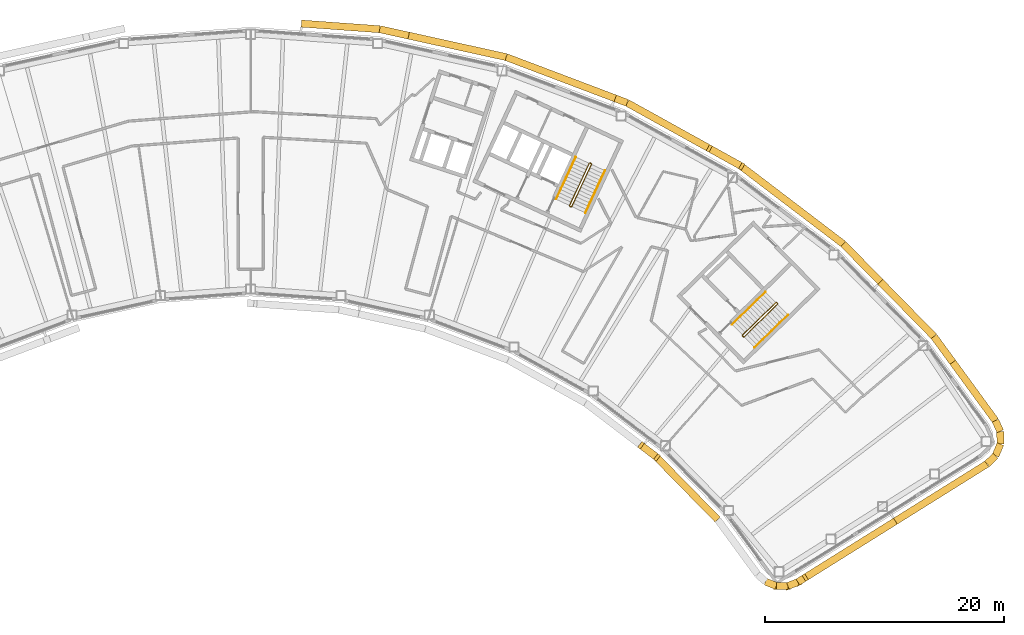
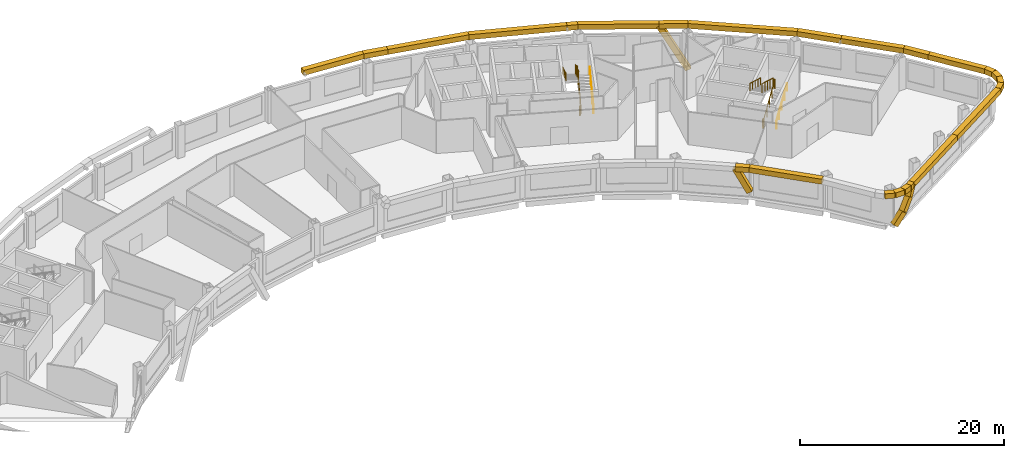
# One storey, part 15 of 16: 29 coverings, 6 railings.
"""IFC4 building model written with IfcOpenShell, lengths in metres."""

import ifcopenshell
import ifcopenshell.guid

model = None  # the IFC model being written
_history = None  # IfcOwnerHistory: only IFC2X3 demands one
_inside = {}  # id of a spatial element -> (the spatial element, [elements in it])
_under = {}  # id of a project, library or spatial element -> (it, [spatial elements below it])
_declared = {}  # id of a project -> (the project, [libraries it declares])
_typed = {}  # id of a type object -> (the type object, [elements of that type])
_made_of = {}  # id of a material, layer set ... -> (it, [elements and type objects made of it])


def new_model(schema):
    """Start an empty IFC model of exactly this schema.

    Asked for "IFC4X3", IfcOpenShell would pick the latest addendum, in which some entities
    have other attributes; the version numbers below select the first issue.
    IFC2X3 requires an IfcOwnerHistory on every rooted entity: one is made here for all.
    """
    global model, _history
    if schema == "IFC4X3":
        model = ifcopenshell.file(schema_version=(4, 3, 0, 0))
    else:
        model = ifcopenshell.file(schema=schema)
    _inside.clear()
    _under.clear()
    _declared.clear()
    _typed.clear()
    _made_of.clear()
    _history = None
    if model.schema == "IFC2X3":
        org = make("IfcOrganization", Name="unknown")
        user = make(
            "IfcPersonAndOrganization",
            ThePerson=make("IfcPerson", FamilyName="unknown"),
            TheOrganization=org,
        )
        app = make(
            "IfcApplication",
            ApplicationDeveloper=org,
            Version="unknown",
            ApplicationFullName="unknown",
            ApplicationIdentifier="unknown",
        )
        _history = make(
            "IfcOwnerHistory",
            OwningUser=user,
            OwningApplication=app,
            ChangeAction="ADDED",
            CreationDate=0,
        )
    return model


def make(cls, **values):
    """One entity of the class cls with the attributes given. An attribute that is None is left unset."""
    return model.create_entity(
        cls, **{name: value for name, value in values.items() if value is not None}
    )


def rooted(cls, **values):
    """An entity with a GlobalId (a new one), such as an element, a storey or a relation."""
    return make(cls, GlobalId=ifcopenshell.guid.new(), OwnerHistory=_history, **values)


def si_unit(unit_type, name, prefix=None):
    """IfcSIUnit, for example si_unit("LENGTHUNIT", "METRE", prefix="MILLI")."""
    return make("IfcSIUnit", UnitType=unit_type, Prefix=prefix, Name=name)


def assignment(units):
    """IfcUnitAssignment: the units of a project."""
    return None if units is None else make("IfcUnitAssignment", Units=units)


def point(xyz):
    """IfcCartesianPoint."""
    return None if xyz is None else make("IfcCartesianPoint", Coordinates=xyz)


def direction(xyz):
    """IfcDirection."""
    return None if xyz is None else make("IfcDirection", DirectionRatios=xyz)


def frame(location, z_axis=None, x_axis=None):
    """IfcAxis2Placement3D, a coordinate frame: its origin and axes. An axis left out is left unset."""
    return make(
        "IfcAxis2Placement3D",
        Location=point(location),
        Axis=direction(z_axis),
        RefDirection=direction(x_axis),
    )


def frame_2d(location, x_axis=None):
    """IfcAxis2Placement2D, a coordinate frame in the plane: its origin and x axis."""
    return make(
        "IfcAxis2Placement2D", Location=point(location), RefDirection=direction(x_axis)
    )


def origin():
    """The frame at (0, 0, 0) with its axes left unset."""
    return frame((0.0, 0.0, 0.0))


def origin_2d():
    """The frame at (0, 0) in the plane with its x axis left unset."""
    return frame_2d((0.0, 0.0))


def place(relative_to, where):
    """IfcLocalPlacement: puts the frame where relative to a parent placement (None: the world)."""
    return make(
        "IfcLocalPlacement", PlacementRelTo=relative_to, RelativePlacement=where
    )


def context(
    kind, dimensions, precision=None, world=None, true_north=None, identifier=None
):
    """IfcGeometricRepresentationContext, for example the 3D "Model" context."""
    return make(
        "IfcGeometricRepresentationContext",
        ContextIdentifier=identifier,
        ContextType=kind,
        CoordinateSpaceDimension=dimensions,
        Precision=precision,
        WorldCoordinateSystem=world,
        TrueNorth=true_north,
    )


def subcontext(parent, identifier, kind, view, scale=None):
    """IfcGeometricRepresentationSubContext, for example "Body" below "Model"."""
    return make(
        "IfcGeometricRepresentationSubContext",
        ContextIdentifier=identifier,
        ContextType=kind,
        ParentContext=parent,
        TargetScale=scale,
        TargetView=view,
    )


def project(units=None, contexts=None):
    """IfcProject with its units and contexts."""
    return rooted(
        "IfcProject",
        Name="project",
        RepresentationContexts=contexts,
        UnitsInContext=assignment(units),
    )


def spatial(cls, under=None, at=None, **own):
    """A site, building, storey or space (cls), placed at a placement, below another one or the project."""
    s = rooted(cls, ObjectPlacement=at, **own)
    if under is not None:
        _under.setdefault(under.id(), (under, []))[1].append(s)
    return s


def profile(cls, at=None, kind="AREA", **sizes):
    """A parametric profile (cls). Its sizes go by their IFC names, for example OverallWidth=200.0."""
    return make(cls, ProfileType=kind, Position=at, **sizes)


def rectangle(**sizes):
    """IfcRectangleProfileDef."""
    return profile("IfcRectangleProfileDef", **sizes)


def circle(**sizes):
    """IfcCircleProfileDef."""
    return profile("IfcCircleProfileDef", **sizes)


def extrude(swept, where, along, depth):
    """IfcExtrudedAreaSolid: the profile swept, set in the frame where, extruded along a direction by depth."""
    return make(
        "IfcExtrudedAreaSolid",
        SweptArea=swept,
        Position=where,
        ExtrudedDirection=direction(along),
        Depth=depth,
    )


def shape(context_of_items, identifier, shape_type, items):
    """IfcShapeRepresentation: the items that make up one representation, for example the "Body"."""
    return make(
        "IfcShapeRepresentation",
        ContextOfItems=context_of_items,
        RepresentationIdentifier=identifier,
        RepresentationType=shape_type,
        Items=items,
    )


def material(Name=None, Category=None):
    """IfcMaterial."""
    return make("IfcMaterial", Name=Name, Category=Category)


def material_profile(
    of_material, cross_section, Name=None, Category=None, Priority=None
):
    """IfcMaterialProfile: a cross section and its material."""
    return make(
        "IfcMaterialProfile",
        Name=Name,
        Material=of_material,
        Profile=cross_section,
        Priority=Priority,
        Category=Category,
    )


def profile_set(profiles, Name=None, composite=None):
    """IfcMaterialProfileSet."""
    return make(
        "IfcMaterialProfileSet",
        Name=Name,
        MaterialProfiles=profiles,
        CompositeProfile=composite,
    )


def made_of(thing, what):
    """Note that an element or type object is made of a material, layer set ...; save() writes the relation."""
    if what is not None:
        _made_of.setdefault(what.id(), (what, []))[1].append(thing)
    return thing


def type_object(cls, material=None, **own):
    """A type object (cls), such as IfcWallType, which elements share."""
    return made_of(rooted(cls, **own), material)


def element(
    cls,
    number,
    at=None,
    inside=None,
    cuts=None,
    type_object=None,
    material=None,
    context=None,
    identifier="Body",
    shape_type=None,
    held_by="IfcProductDefinitionShape",
    body=None,
    shapes=None,
    **own,
):
    """One element of the class cls, such as IfcWall. Its Tag is "e" and its number.

    at: its placement. inside: the storey or other place that contains it. cuts: it is an
    opening in that element (IfcRelVoidsElement). A single representation is given by context,
    identifier, shape_type and body (its items); several are given by shapes. held_by: the class
    of the entity that holds the representations. save() writes the other relations.
    """
    e = rooted(cls, Tag="e%d" % number, ObjectPlacement=at, **own)
    if body is not None:
        shapes = [shape(context, identifier, shape_type, body)]
    if shapes is not None:
        e.Representation = make(held_by, Representations=shapes)
    if inside is not None:
        _inside.setdefault(inside.id(), (inside, []))[1].append(e)
    if cuts is not None:
        rooted(
            "IfcRelVoidsElement", RelatingBuildingElement=cuts, RelatedOpeningElement=e
        )
    if type_object is not None:
        _typed.setdefault(type_object.id(), (type_object, []))[1].append(e)
    return made_of(e, material)


def aggregate(whole, parts):
    """IfcRelAggregates: a whole, such as a stair, and the parts it consists of."""
    return rooted("IfcRelAggregates", RelatingObject=whole, RelatedObjects=parts)


def save(model, path):
    """Write the relations noted so far, then the file.

    IfcRelAggregates (storeys below a building ...), IfcRelContainedInSpatialStructure (elements
    in a storey), IfcRelDefinesByType, IfcRelAssociatesMaterial and IfcRelDeclares: one each for
    every whole, place, type object, material and project.
    """
    for whole, parts in _under.values():
        aggregate(whole, parts)
    for where, things in _inside.values():
        rooted(
            "IfcRelContainedInSpatialStructure",
            RelatedElements=things,
            RelatingStructure=where,
        )
    for kind, things in _typed.values():
        rooted("IfcRelDefinesByType", RelatedObjects=things, RelatingType=kind)
    for what, things in _made_of.values():
        rooted("IfcRelAssociatesMaterial", RelatedObjects=things, RelatingMaterial=what)
    for by, libraries in _declared.values():
        rooted("IfcRelDeclares", RelatingContext=by, RelatedDefinitions=libraries)
    model.write(path)


model = new_model("IFC4")

# Units and contexts
model_context = context("Model", 3, precision=1e-05, world=origin(), true_north=direction((0.0, 1.0)))
body_context = subcontext(model_context, "Body", "Model", "MODEL_VIEW")
ifc_project = project(units=[si_unit("LENGTHUNIT", "METRE"), si_unit("AREAUNIT", "SQUARE_METRE"), si_unit("VOLUMEUNIT", "CUBIC_METRE"), si_unit("PLANEANGLEUNIT", "RADIAN"), si_unit("MASSUNIT", "GRAM", prefix="KILO")], contexts=[model_context])

# Site, building, storey
site_placement = place(None, origin())
site = spatial("IfcSite", under=ifc_project, at=site_placement, CompositionType="ELEMENT")
building_placement = place(site_placement, origin())
building = spatial("IfcBuilding", under=site, at=building_placement, Name="Tuul Gate Civic Tower", CompositionType="ELEMENT")
storey_placement = place(building_placement, frame((0.0, 0.0, 298.39990234375)))
storey = spatial("IfcBuildingStorey", under=building, at=storey_placement, Name="Level 67", CompositionType="ELEMENT", Elevation=298.39990234375)

# Railings
ifc_material_1 = material(Name="Painted steel", Category="steel")
railing_type_1 = type_object("IfcRailingType", Name="Stair guard", PredefinedType="GUARDRAIL", material=ifc_material_1)
railing_1_placement = place(storey_placement, frame((48.10546875, -16.134765625, 0.0)))
element("IfcRailing", 1, at=railing_1_placement, inside=storey, type_object=railing_type_1, Name="Level 67 ST-3 stair guard 1", PredefinedType="GUARDRAIL", context=body_context, shape_type="SweptSolid", body=[
    extrude(circle(Radius=0.02392578125, at=origin_2d()), frame((0.0, 0.0, 1.076171875), z_axis=(-0.698506948293, 0.715603272202, 0.0), x_axis=(-0.715603272202, -0.698506948293, 0.0)), (0.0, 0.0, 1.0), 0.099853515625),
    extrude(circle(Radius=0.02392578125, at=origin_2d()), frame((-0.06982421875, 0.071533203125, 1.076171875), z_axis=(0.644948864628, -0.331432055434, 0.688617277337), x_axis=(0.457068866502, 0.889431307788, 0.0)), (0.0, 0.0, 1.0), 0.218017578125),
    extrude(circle(Radius=0.02392578125, at=origin_2d()), frame((0.07080078125, -0.000732421875, 1.22607421875), z_axis=(0.638731261263, 0.626133563701, 0.447190268558), x_axis=(-0.700029477518, 0.714113947914, 0.0)), (0.0, 0.0, 1.0), 4.3603515625),
    extrude(circle(Radius=0.02392578125, at=origin_2d()), frame((2.85595703125, 2.7294921875, 3.17626953125), z_axis=(0.010380063588, 0.999946125689, 0.0), x_axis=(-0.999946125689, 0.010380063588, 0.0)), (0.0, 0.0, 1.0), 0.070556640625),
    extrude(circle(Radius=0.02392578125, at=origin_2d()), frame((2.856689453125, 2.800048828125, 3.17626953125), z_axis=(-0.699754442181, 0.714383454909, 0.0), x_axis=(-0.714383454909, -0.699754442181, 0.0)), (0.0, 0.0, 1.0), 0.10009765625),
    extrude(circle(Radius=0.02392578125, at=origin_2d()), frame((2.78662109375, 2.87158203125, 3.17626953125), z_axis=(-0.427069033481, 0.004417955519, 0.904208229508), x_axis=(-0.010344274102, -0.999946496565, 0.0)), (0.0, 0.0, 1.0), 0.165771484375),
    extrude(circle(Radius=0.02392578125, at=origin_2d()), frame((2.7158203125, 2.872314453125, 3.326171875), z_axis=(-0.638715268259, -0.626117886127, 0.447235059857), x_axis=(0.700029477518, -0.714113947914, 0.0)), (0.0, 0.0, 1.0), 4.360595703125),
    extrude(circle(Radius=0.02099609375, at=origin_2d()), origin(), (0.0, 0.0, 1.0), 1.052001953125),
    extrude(circle(Radius=0.02099609375, at=origin_2d()), frame((-0.06982421875, 0.071533203125, 0.0)), (0.0, 0.0, 1.0), 1.052001953125),
    extrude(circle(Radius=0.02099609375, at=origin_2d()), frame((0.07080078125, -0.000732421875, 0.150146484375)), (0.0, 0.0, 1.0), 1.052001953125),
    extrude(circle(Radius=0.02099609375, at=origin_2d()), frame((0.76708984375, 0.681884765625, 0.6376953125)), (0.0, 0.0, 1.0), 1.052001953125),
    extrude(circle(Radius=0.02099609375, at=origin_2d()), frame((1.46337890625, 1.3642578125, 1.125)), (0.0, 0.0, 1.0), 1.052001953125),
    extrude(circle(Radius=0.02099609375, at=origin_2d()), frame((2.15966796875, 2.046875, 1.612548828125)), (0.0, 0.0, 1.0), 1.052001953125),
    extrude(circle(Radius=0.02099609375, at=origin_2d()), frame((2.85595703125, 2.7294921875, 2.10009765625)), (0.0, 0.0, 1.0), 1.052001953125),
    extrude(circle(Radius=0.02099609375, at=origin_2d()), frame((2.856689453125, 2.800048828125, 2.10009765625)), (0.0, 0.0, 1.0), 1.052001953125),
    extrude(circle(Radius=0.02099609375, at=origin_2d()), frame((2.78662109375, 2.87158203125, 2.10009765625)), (0.0, 0.0, 1.0), 1.052001953125),
    extrude(circle(Radius=0.02099609375, at=origin_2d()), frame((2.7158203125, 2.872314453125, 2.25)), (0.0, 0.0, 1.0), 1.052001953125),
    extrude(circle(Radius=0.02099609375, at=origin_2d()), frame((2.01953125, 2.189697265625, 2.737548828125)), (0.0, 0.0, 1.0), 1.052001953125),
    extrude(circle(Radius=0.02099609375, at=origin_2d()), frame((1.3232421875, 1.50732421875, 3.22509765625)), (0.0, 0.0, 1.0), 1.052001953125),
    extrude(circle(Radius=0.02099609375, at=origin_2d()), frame((0.626953125, 0.82470703125, 3.712646484375)), (0.0, 0.0, 1.0), 1.052001953125),
    extrude(circle(Radius=0.02099609375, at=origin_2d()), frame((-0.0693359375, 0.14208984375, 4.2001953125)), (0.0, 0.0, 1.0), 1.052001953125),
])
railing_2_placement = place(storey_placement, frame((33.645751953125, -5.238525390625, 0.0)))
element("IfcRailing", 2, at=railing_2_placement, inside=storey, type_object=railing_type_1, Name="Level 67 ST-4 stair guard 1", PredefinedType="GUARDRAIL", context=body_context, shape_type="SweptSolid", body=[
    extrude(circle(Radius=0.02392578125, at=origin_2d()), frame((0.0, 0.0, 1.076171875), z_axis=(-0.906307919131, 0.422617978463, 0.0), x_axis=(-0.422617978463, -0.906307919131, 0.0)), (0.0, 0.0, 1.0), 0.099853515625),
    extrude(circle(Radius=0.02392578125, at=origin_2d()), frame((-0.090576171875, 0.042236328125, 1.076171875), z_axis=(0.720179819621, -0.082882280952, 0.688818956559), x_axis=(0.114330889033, 0.993442724979, 0.0)), (0.0, 0.0, 1.0), 0.218017578125),
    extrude(circle(Radius=0.02392578125, at=origin_2d()), frame((0.06640625, 0.024169921875, 1.22607421875), z_axis=(0.377946903738, 0.810654114417, 0.447209173356), x_axis=(-0.906336612539, 0.422556439746, 0.0)), (0.0, 0.0, 1.0), 4.3603515625),
    extrude(circle(Radius=0.02392578125, at=origin_2d()), frame((1.71435546875, 3.558837890625, 3.17626953125), z_axis=(-0.342020437038, 0.939692513883, 0.0), x_axis=(-0.939692513883, -0.342020437038, 0.0)), (0.0, 0.0, 1.0), 0.070556640625),
    extrude(circle(Radius=0.02392578125, at=origin_2d()), frame((1.690185546875, 3.625244140625, 3.17626953125), z_axis=(-0.906307919131, 0.422617978463, 0.0), x_axis=(-0.422617978463, -0.906307919131, 0.0)), (0.0, 0.0, 1.0), 0.099853515625),
    extrude(circle(Radius=0.02392578125, at=origin_2d()), frame((1.599609375, 3.66748046875, 3.17626953125), z_axis=(-0.40070210376, -0.145843780413, 0.904526072458), x_axis=(0.342020437038, -0.939692513883, 0.0)), (0.0, 0.0, 1.0), 0.165771484375),
    extrude(circle(Radius=0.02392578125, at=origin_2d()), frame((1.533203125, 3.643310546875, 3.326171875), z_axis=(-0.377937439636, -0.810633814971, 0.447253965602), x_axis=(0.906336612539, -0.422556439746, 0.0)), (0.0, 0.0, 1.0), 4.3603515625),
    extrude(circle(Radius=0.02099609375, at=origin_2d()), origin(), (0.0, 0.0, 1.0), 1.052001953125),
    extrude(circle(Radius=0.02099609375, at=origin_2d()), frame((-0.090576171875, 0.042236328125, 0.0)), (0.0, 0.0, 1.0), 1.052001953125),
    extrude(circle(Radius=0.02099609375, at=origin_2d()), frame((0.06640625, 0.024169921875, 0.150146484375)), (0.0, 0.0, 1.0), 1.052001953125),
    extrude(circle(Radius=0.02099609375, at=origin_2d()), frame((0.478515625, 0.90771484375, 0.6376953125)), (0.0, 0.0, 1.0), 1.052001953125),
    extrude(circle(Radius=0.02099609375, at=origin_2d()), frame((0.890380859375, 1.79150390625, 1.125)), (0.0, 0.0, 1.0), 1.052001953125),
    extrude(circle(Radius=0.02099609375, at=origin_2d()), frame((1.30224609375, 2.67529296875, 1.612548828125)), (0.0, 0.0, 1.0), 1.052001953125),
    extrude(circle(Radius=0.02099609375, at=origin_2d()), frame((1.71435546875, 3.558837890625, 2.10009765625)), (0.0, 0.0, 1.0), 1.052001953125),
    extrude(circle(Radius=0.02099609375, at=origin_2d()), frame((1.690185546875, 3.625244140625, 2.10009765625)), (0.0, 0.0, 1.0), 1.052001953125),
    extrude(circle(Radius=0.02099609375, at=origin_2d()), frame((1.599609375, 3.66748046875, 2.10009765625)), (0.0, 0.0, 1.0), 1.052001953125),
    extrude(circle(Radius=0.02099609375, at=origin_2d()), frame((1.533203125, 3.643310546875, 2.25)), (0.0, 0.0, 1.0), 1.052001953125),
    extrude(circle(Radius=0.02099609375, at=origin_2d()), frame((1.12109375, 2.759765625, 2.737548828125)), (0.0, 0.0, 1.0), 1.052001953125),
    extrude(circle(Radius=0.02099609375, at=origin_2d()), frame((0.709228515625, 1.8759765625, 3.22509765625)), (0.0, 0.0, 1.0), 1.052001953125),
    extrude(circle(Radius=0.02099609375, at=origin_2d()), frame((0.29736328125, 0.9921875, 3.712646484375)), (0.0, 0.0, 1.0), 1.052001953125),
    extrude(circle(Radius=0.02099609375, at=origin_2d()), frame((-0.11474609375, 0.108642578125, 4.2001953125)), (0.0, 0.0, 1.0), 1.052001953125),
])
ifc_material_2 = material(Name="Painted steel", Category="steel")
railing_type_2 = type_object("IfcRailingType", Name="Stair handrail", PredefinedType="HANDRAIL", material=ifc_material_2)
railing_3_placement = place(storey_placement, frame((49.05126953125, -17.028076171875, 0.150146484375)))
element("IfcRailing", 3, at=railing_3_placement, inside=storey, type_object=railing_type_2, Name="Level 67 ST-3 stair handrail 1", PredefinedType="HANDRAIL", context=body_context, shape_type="SweptSolid", body=[
    extrude(circle(Radius=0.02392578125, at=origin_2d()), frame((0.0, 0.0, 0.8759765625), z_axis=(0.638753653487, 0.626099522554, 0.447205945863), x_axis=(-0.699997553204, 0.714145241186, 0.0)), (0.0, 0.0, 1.0), 4.3603515625),
    extrude(circle(Radius=0.02099609375, at=origin_2d()), origin(), (0.0, 0.0, 1.0), 0.851806640625),
    extrude(circle(Radius=0.02099609375, at=origin_2d()), frame((0.6962890625, 0.6826171875, 0.487548828125)), (0.0, 0.0, 1.0), 0.851806640625),
    extrude(circle(Radius=0.02099609375, at=origin_2d()), frame((1.392578125, 1.364990234375, 0.97509765625)), (0.0, 0.0, 1.0), 0.851806640625),
    extrude(circle(Radius=0.02099609375, at=origin_2d()), frame((2.0888671875, 2.04736328125, 1.46240234375)), (0.0, 0.0, 1.0), 0.851806640625),
    extrude(circle(Radius=0.02099609375, at=origin_2d()), frame((2.78515625, 2.72998046875, 1.949951171875)), (0.0, 0.0, 1.0), 0.851806640625),
])
railing_4_placement = place(storey_placement, frame((49.9462890625, -12.369873046875, 2.25)))
element("IfcRailing", 4, at=railing_4_placement, inside=storey, type_object=railing_type_2, Name="Level 67 ST-3 stair handrail 2", PredefinedType="HANDRAIL", context=body_context, shape_type="SweptSolid", body=[
    extrude(circle(Radius=0.02392578125, at=origin_2d()), frame((0.0, 0.0, 0.8759765625), z_axis=(-0.638737658801, -0.626083844733, 0.447250737947), x_axis=(0.699997553204, -0.714145241186, 0.0)), (0.0, 0.0, 1.0), 4.3603515625),
    extrude(circle(Radius=0.02099609375, at=origin_2d()), origin(), (0.0, 0.0, 1.0), 0.851806640625),
    extrude(circle(Radius=0.02099609375, at=origin_2d()), frame((-0.6962890625, -0.6826171875, 0.487548828125)), (0.0, 0.0, 1.0), 0.851806640625),
    extrude(circle(Radius=0.02099609375, at=origin_2d()), frame((-1.392578125, -1.364990234375, 0.97509765625)), (0.0, 0.0, 1.0), 0.851806640625),
    extrude(circle(Radius=0.02099609375, at=origin_2d()), frame((-2.0888671875, -2.04736328125, 1.462646484375)), (0.0, 0.0, 1.0), 0.851806640625),
    extrude(circle(Radius=0.02099609375, at=origin_2d()), frame((-2.78515625, -2.72998046875, 1.9501953125)), (0.0, 0.0, 1.0), 0.851806640625),
])
railing_5_placement = place(storey_placement, frame((34.844970703125, -5.74267578125, 0.150146484375)))
element("IfcRailing", 5, at=railing_5_placement, inside=storey, type_object=railing_type_2, Name="Level 67 ST-4 stair handrail 1", PredefinedType="HANDRAIL", context=body_context, shape_type="SweptSolid", body=[
    extrude(circle(Radius=0.02392578125, at=origin_2d()), frame((0.0, 0.0, 0.8759765625), z_axis=(0.377994896215, 0.810636958585, 0.447199709091), x_axis=(-0.906312636903, 0.422607861012, 0.0)), (0.0, 0.0, 1.0), 4.3603515625),
    extrude(circle(Radius=0.02099609375, at=origin_2d()), origin(), (0.0, 0.0, 1.0), 0.851806640625),
    extrude(circle(Radius=0.02099609375, at=origin_2d()), frame((0.412109375, 0.8837890625, 0.487548828125)), (0.0, 0.0, 1.0), 0.851806640625),
    extrude(circle(Radius=0.02099609375, at=origin_2d()), frame((0.82421875, 1.767333984375, 0.97509765625)), (0.0, 0.0, 1.0), 0.851806640625),
    extrude(circle(Radius=0.02099609375, at=origin_2d()), frame((1.236083984375, 2.65087890625, 1.46240234375)), (0.0, 0.0, 1.0), 0.851806640625),
    extrude(circle(Radius=0.02099609375, at=origin_2d()), frame((1.648193359375, 3.53466796875, 1.949951171875)), (0.0, 0.0, 1.0), 0.851806640625),
])
railing_6_placement = place(storey_placement, frame((34.046142578125, -1.06689453125, 2.25)))
element("IfcRailing", 6, at=railing_6_placement, inside=storey, type_object=railing_type_2, Name="Level 67 ST-4 stair handrail 2", PredefinedType="HANDRAIL", context=body_context, shape_type="SweptSolid", body=[
    extrude(circle(Radius=0.02392578125, at=origin_2d()), frame((0.0, 0.0, 0.8759765625), z_axis=(-0.377985431313, -0.810616660428, 0.447244500863), x_axis=(0.906312636903, -0.422607861012, 0.0)), (0.0, 0.0, 1.0), 4.3603515625),
    extrude(circle(Radius=0.02099609375, at=origin_2d()), origin(), (0.0, 0.0, 1.0), 0.851806640625),
    extrude(circle(Radius=0.02099609375, at=origin_2d()), frame((-0.412109375, -0.8837890625, 0.487548828125)), (0.0, 0.0, 1.0), 0.851806640625),
    extrude(circle(Radius=0.02099609375, at=origin_2d()), frame((-0.82421875, -1.767333984375, 0.97509765625)), (0.0, 0.0, 1.0), 0.851806640625),
    extrude(circle(Radius=0.02099609375, at=origin_2d()), frame((-1.236083984375, -2.65087890625, 1.462646484375)), (0.0, 0.0, 1.0), 0.851806640625),
    extrude(circle(Radius=0.02099609375, at=origin_2d()), frame((-1.648193359375, -3.53466796875, 1.9501953125)), (0.0, 0.0, 1.0), 0.851806640625),
])

# Coverings
ifc_material_3 = material(Name="Terracotta baguette", Category="masonry")
ifc_material_profile = material_profile(ifc_material_3, rectangle(XDim=0.60009765625, YDim=0.60009765625, at=origin_2d()), Name="Terracotta baguette screen frame")
ifc_profile_set = profile_set([ifc_material_profile], Name="Terracotta baguette")
covering_type = type_object("IfcCoveringType", Name="Terracotta baguette screen frame", PredefinedType="CLADDING", material=ifc_profile_set)
covering_1_placement = place(storey_placement, frame((65.658935546875, -18.270751953125, 3.85009765625), z_axis=(-0.589811087121, 0.807541256846, 0.0), x_axis=(-0.807541256846, -0.589811087121, 0.0)))
element("IfcCovering", 7, at=covering_1_placement, inside=storey, type_object=covering_type, Name="Baguette 23", PredefinedType="CLADDING", context=body_context, shape_type="SweptSolid", body=[
    extrude(rectangle(XDim=0.60009765625, YDim=0.60009765625, at=origin_2d()), origin(), (0.0, 0.0, 1.0), 2.680908203125),
])
covering_2_placement = place(storey_placement, frame((64.07763671875, -16.105712890625, 3.85009765625), z_axis=(-0.700058453541, 0.714085542232, 0.0), x_axis=(-0.714085542232, -0.700058453541, 0.0)))
element("IfcCovering", 8, at=covering_2_placement, inside=storey, type_object=covering_type, Name="Baguette 24", PredefinedType="CLADDING", context=body_context, shape_type="SweptSolid", body=[
    extrude(rectangle(XDim=0.60009765625, YDim=0.60009765625, at=origin_2d()), origin(), (0.0, 0.0, 1.0), 6.405029296875),
])
covering_3_placement = place(storey_placement, frame((47.84814453125, -1.783447265625, -1.42333984375), z_axis=(-0.415584684816, 0.230400605501, 0.879889158207), x_axis=(-0.484871200152, -0.874585570006, 0.0)))
element("IfcCovering", 9, at=covering_3_placement, inside=storey, type_object=covering_type, Name="Baguette 40", PredefinedType="CLADDING", context=body_context, shape_type="SweptSolid", body=[
    extrude(rectangle(XDim=0.60009765625, YDim=0.60009765625, at=origin_2d()), origin(), (0.0, 0.0, 1.0), 5.993408203125),
])
covering_4_placement = place(storey_placement, frame((45.357421875, -0.402587890625, 3.85009765625), z_axis=(-0.874613060583, 0.484821610757, 0.0), x_axis=(-0.484821610757, -0.874613060583, 0.0)))
element("IfcCovering", 10, at=covering_4_placement, inside=storey, type_object=covering_type, Name="Baguette 47", PredefinedType="CLADDING", context=body_context, shape_type="SweptSolid", body=[
    extrude(rectangle(XDim=0.60009765625, YDim=0.60009765625, at=origin_2d()), origin(), (0.0, 0.0, 1.0), 8.002685546875),
])
covering_5_placement = place(storey_placement, frame((38.358154296875, 3.477294921875, 3.85009765625), z_axis=(-0.935331168896, 0.353773380134, 0.0), x_axis=(-0.353773380134, -0.935331168896, 0.0)))
element("IfcCovering", 11, at=covering_5_placement, inside=storey, type_object=covering_type, Name="Baguette 48", PredefinedType="CLADDING", context=body_context, shape_type="SweptSolid", body=[
    extrude(rectangle(XDim=0.60009765625, YDim=0.60009765625, at=origin_2d()), origin(), (0.0, 0.0, 1.0), 1.069580078125),
])
covering_6_placement = place(storey_placement, frame((20.041015625, 9.115478515625, 3.85009765625), z_axis=(-0.976550477935, 0.215288559947, 0.0), x_axis=(-0.215288559947, -0.976550477935, 0.0)))
element("IfcCovering", 12, at=covering_6_placement, inside=storey, type_object=covering_type, Name="Baguette 65", PredefinedType="CLADDING", context=body_context, shape_type="SweptSolid", body=[
    extrude(rectangle(XDim=0.60009765625, YDim=0.60009765625, at=origin_2d()), origin(), (0.0, 0.0, 1.0), 2.488037109375),
])
covering_7_placement = place(storey_placement, frame((17.611328125, 9.651123046875, 3.85009765625), z_axis=(-0.997388010162, 0.072229891215, 0.0), x_axis=(-0.072229891215, -0.997388010162, 0.0)))
element("IfcCovering", 13, at=covering_7_placement, inside=storey, type_object=covering_type, Name="Baguette 66", PredefinedType="CLADDING", context=body_context, shape_type="SweptSolid", body=[
    extrude(rectangle(XDim=0.60009765625, YDim=0.60009765625, at=origin_2d()), origin(), (0.0, 0.0, 1.0), 6.584228515625),
])
covering_8_placement = place(storey_placement, frame((39.62939453125, -25.314208984375, 3.85009765625), z_axis=(0.370856598143, -0.282393183837, -0.884714345614), x_axis=(0.605820279821, 0.795601526241, 0.0)))
element("IfcCovering", 14, at=covering_8_placement, inside=storey, type_object=covering_type, Name="Baguette 246", PredefinedType="CLADDING", context=body_context, shape_type="SweptSolid", body=[
    extrude(rectangle(XDim=0.60009765625, YDim=0.60009765625, at=origin_2d()), origin(), (0.0, 0.0, 1.0), 3.0439453125),
])
covering_9_placement = place(storey_placement, frame((50.85986328125, -37.026611328125, 0.17822265625), z_axis=(0.602560560846, -0.001663278838, 0.798071427891), x_axis=(0.002760340801, 0.999996190252, 0.0)))
element("IfcCovering", 15, at=covering_9_placement, inside=storey, type_object=covering_type, Name="Baguette 267", PredefinedType="CLADDING", context=body_context, shape_type="SweptSolid", body=[
    extrude(rectangle(XDim=0.60009765625, YDim=0.60009765625, at=origin_2d()), origin(), (0.0, 0.0, 1.0), 1.614501953125),
])
covering_10_placement = place(storey_placement, frame((51.832763671875, -37.029296875, 1.466796875), z_axis=(0.534027838207, 0.207867231209, 0.819515394736), x_axis=(-0.362733847194, 0.93189278144, 0.0)))
element("IfcCovering", 16, at=covering_10_placement, inside=storey, type_object=covering_type, Name="Baguette 268", PredefinedType="CLADDING", context=body_context, shape_type="SweptSolid", body=[
    extrude(rectangle(XDim=0.60009765625, YDim=0.60009765625, at=origin_2d()), origin(), (0.0, 0.0, 1.0), 1.57275390625),
])
covering_11_placement = place(storey_placement, frame((52.672607421875, -36.702392578125, 2.755615234375), z_axis=(0.402352266006, 0.251347438013, 0.880305128603), x_axis=(-0.52981289744, 0.848114552231, 0.0)))
element("IfcCovering", 17, at=covering_11_placement, inside=storey, type_object=covering_type, Name="Baguette 269", PredefinedType="CLADDING", context=body_context, shape_type="SweptSolid", body=[
    extrude(rectangle(XDim=0.60009765625, YDim=0.60009765625, at=origin_2d()), origin(), (0.0, 0.0, 1.0), 1.243408203125),
])
for number, where, z_axis, x_axis, name in (
    (18, (53.1728515625, -36.389892578125, 3.85009765625), (0.848039206863, 0.52993348981, 0.0), (-0.52993348981, 0.848039206863, 0.0), "Baguette 283"),
    (19, (60.850341796875, -31.59228515625, 3.85009765625), (0.84807101712, 0.529882581258, 0.0), (-0.529882581258, 0.84807101712, 0.0), "Baguette 285"),
):
    element("IfcCovering", number, at=place(storey_placement, frame(where, z_axis=z_axis, x_axis=x_axis)), inside=storey, type_object=covering_type, Name=name, PredefinedType="CLADDING", context=body_context, shape_type="SweptSolid", body=[
        extrude(rectangle(XDim=0.60009765625, YDim=0.60009765625, at=origin_2d()), origin(), (0.0, 0.0, 1.0), 9.05322265625),
    ])
covering_12_placement = place(storey_placement, frame((68.528076171875, -26.795166015625, 3.85009765625), z_axis=(0.722137314744, 0.691749737011, 0.0), x_axis=(-0.691749737011, 0.722137314744, 0.0)))
element("IfcCovering", 20, at=covering_12_placement, inside=storey, type_object=covering_type, Name="Baguette 286", PredefinedType="CLADDING", context=body_context, shape_type="SweptSolid", body=[
    extrude(rectangle(XDim=0.60009765625, YDim=0.60009765625, at=origin_2d()), origin(), (0.0, 0.0, 1.0), 0.98828125),
])
covering_13_placement = place(storey_placement, frame((69.24169921875, -26.111572265625, 3.85009765625), z_axis=(0.385784883999, 0.922588761734, 0.0), x_axis=(-0.922588761734, 0.385784883999, 0.0)))
element("IfcCovering", 21, at=covering_13_placement, inside=storey, type_object=covering_type, Name="Baguette 287", PredefinedType="CLADDING", context=body_context, shape_type="SweptSolid", body=[
    extrude(rectangle(XDim=0.60009765625, YDim=0.60009765625, at=origin_2d()), origin(), (0.0, 0.0, 1.0), 1.06689453125),
])
covering_14_placement = place(storey_placement, frame((69.6533203125, -25.127197265625, 3.85009765625), z_axis=(-0.014637041139, 0.999892872775, 0.0), x_axis=(-0.999892872775, -0.014637041139, 0.0)))
element("IfcCovering", 22, at=covering_14_placement, inside=storey, type_object=covering_type, Name="Baguette 288", PredefinedType="CLADDING", context=body_context, shape_type="SweptSolid", body=[
    extrude(rectangle(XDim=0.60009765625, YDim=0.60009765625, at=origin_2d()), origin(), (0.0, 0.0, 1.0), 1.0673828125),
])
covering_15_placement = place(storey_placement, frame((69.6376953125, -24.059814453125, 3.85009765625), z_axis=(-0.412573349968, 0.910924382644, 0.0), x_axis=(-0.910924382644, -0.412573349968, 0.0)))
element("IfcCovering", 23, at=covering_15_placement, inside=storey, type_object=covering_type, Name="Baguette 289", PredefinedType="CLADDING", context=body_context, shape_type="SweptSolid", body=[
    extrude(rectangle(XDim=0.60009765625, YDim=0.60009765625, at=origin_2d()), origin(), (0.0, 0.0, 1.0), 0.987548828125),
])
covering_16_placement = place(storey_placement, frame((69.230224609375, -23.16015625, 3.85009765625), z_axis=(-0.589829544969, 0.8075277753, 0.0), x_axis=(-0.8075277753, -0.589829544969, 0.0)))
element("IfcCovering", 24, at=covering_16_placement, inside=storey, type_object=covering_type, Name="Baguette 290", PredefinedType="CLADDING", context=body_context, shape_type="SweptSolid", body=[
    extrude(rectangle(XDim=0.60009765625, YDim=0.60009765625, at=origin_2d()), origin(), (0.0, 0.0, 1.0), 6.0546875),
])
covering_17_placement = place(storey_placement, frame((59.59375, -11.531982421875, 3.85009765625), z_axis=(-0.70001485629, 0.714128280474, 0.0), x_axis=(-0.714128280474, -0.70001485629, 0.0)))
element("IfcCovering", 25, at=covering_17_placement, inside=storey, type_object=covering_type, Name="Baguette 294", PredefinedType="CLADDING", context=body_context, shape_type="SweptSolid", body=[
    extrude(rectangle(XDim=0.60009765625, YDim=0.60009765625, at=origin_2d()), origin(), (0.0, 0.0, 1.0), 4.44580078125),
])
covering_18_placement = place(storey_placement, frame((56.481689453125, -8.357177734375, 3.85009765625), z_axis=(-0.795618643442, 0.605797799771, 0.0), x_axis=(-0.605797799771, -0.795618643442, 0.0)))
element("IfcCovering", 26, at=covering_18_placement, inside=storey, type_object=covering_type, Name="Baguette 295", PredefinedType="CLADDING", context=body_context, shape_type="SweptSolid", body=[
    extrude(rectangle(XDim=0.60009765625, YDim=0.60009765625, at=origin_2d()), origin(), (0.0, 0.0, 1.0), 10.851318359375),
])
covering_19_placement = place(storey_placement, frame((47.84814453125, -1.783447265625, 3.85009765625), z_axis=(-0.874585570006, 0.484871200152, 0.0), x_axis=(-0.484871200152, -0.874585570006, 0.0)))
element("IfcCovering", 27, at=covering_19_placement, inside=storey, type_object=covering_type, Name="Baguette 296", PredefinedType="CLADDING", context=body_context, shape_type="SweptSolid", body=[
    extrude(rectangle(XDim=0.60009765625, YDim=0.60009765625, at=origin_2d()), origin(), (0.0, 0.0, 1.0), 2.847900390625),
])
covering_20_placement = place(storey_placement, frame((37.357666015625, 3.855712890625, 3.85009765625), z_axis=(-0.935362589689, 0.353690296461, 0.0), x_axis=(-0.353690296461, -0.935362589689, 0.0)))
element("IfcCovering", 28, at=covering_20_placement, inside=storey, type_object=covering_type, Name="Baguette 303", PredefinedType="CLADDING", context=body_context, shape_type="SweptSolid", body=[
    extrude(rectangle(XDim=0.60009765625, YDim=0.60009765625, at=origin_2d()), origin(), (0.0, 0.0, 1.0), 9.782470703125),
])
covering_21_placement = place(storey_placement, frame((28.20751953125, 7.315673828125, 3.85009765625), z_axis=(-0.976564757284, 0.215223778496, 0.0), x_axis=(-0.215223778496, -0.976564757284, 0.0)))
element("IfcCovering", 29, at=covering_21_placement, inside=storey, type_object=covering_type, Name="Baguette 304", PredefinedType="CLADDING", context=body_context, shape_type="SweptSolid", body=[
    extrude(rectangle(XDim=0.60009765625, YDim=0.60009765625, at=origin_2d()), origin(), (0.0, 0.0, 1.0), 8.362548828125),
])
covering_22_placement = place(storey_placement, frame((39.62939453125, -25.314208984375, 3.85009765625), z_axis=(0.795601526241, -0.605820279821, 0.0), x_axis=(0.605820279821, 0.795601526241, 0.0)))
element("IfcCovering", 30, at=covering_22_placement, inside=storey, type_object=covering_type, Name="Baguette 364", PredefinedType="CLADDING", context=body_context, shape_type="SweptSolid", body=[
    extrude(rectangle(XDim=0.60009765625, YDim=0.60009765625, at=origin_2d()), origin(), (0.0, 0.0, 1.0), 1.4189453125),
])
covering_23_placement = place(storey_placement, frame((40.75830078125, -26.173828125, 3.85009765625), z_axis=(0.700045416035, -0.714098323404, 0.0), x_axis=(0.714098323404, 0.700045416035, 0.0)))
element("IfcCovering", 31, at=covering_23_placement, inside=storey, type_object=covering_type, Name="Baguette 365", PredefinedType="CLADDING", context=body_context, shape_type="SweptSolid", body=[
    extrude(rectangle(XDim=0.60009765625, YDim=0.60009765625, at=origin_2d()), origin(), (0.0, 0.0, 1.0), 7.418212890625),
])
covering_24_placement = place(storey_placement, frame((49.9541015625, -36.667724609375, 3.85009765625), z_axis=(0.929681500465, -0.368364368109, 0.0), x_axis=(0.368364368109, 0.929681500465, 0.0)))
element("IfcCovering", 32, at=covering_24_placement, inside=storey, type_object=covering_type, Name="Baguette 368", PredefinedType="CLADDING", context=body_context, shape_type="SweptSolid", body=[
    extrude(rectangle(XDim=0.60009765625, YDim=0.60009765625, at=origin_2d()), origin(), (0.0, 0.0, 1.0), 0.974365234375),
])
covering_25_placement = place(storey_placement, frame((50.85986328125, -37.026611328125, 3.85009765625), z_axis=(0.999996190252, -0.002760340801, 0.0), x_axis=(0.002760340801, 0.999996190252, 0.0)))
element("IfcCovering", 33, at=covering_25_placement, inside=storey, type_object=covering_type, Name="Baguette 369", PredefinedType="CLADDING", context=body_context, shape_type="SweptSolid", body=[
    extrude(rectangle(XDim=0.60009765625, YDim=0.60009765625, at=origin_2d()), origin(), (0.0, 0.0, 1.0), 0.972900390625),
])
covering_26_placement = place(storey_placement, frame((51.832763671875, -37.029296875, 3.85009765625), z_axis=(0.93189278144, 0.362733847194, 0.0), x_axis=(-0.362733847194, 0.93189278144, 0.0)))
element("IfcCovering", 34, at=covering_26_placement, inside=storey, type_object=covering_type, Name="Baguette 370", PredefinedType="CLADDING", context=body_context, shape_type="SweptSolid", body=[
    extrude(rectangle(XDim=0.60009765625, YDim=0.60009765625, at=origin_2d()), origin(), (0.0, 0.0, 1.0), 0.901123046875),
])
covering_27_placement = place(storey_placement, frame((52.672607421875, -36.702392578125, 3.85009765625), z_axis=(0.848114552231, 0.52981289744, 0.0), x_axis=(-0.52981289744, 0.848114552231, 0.0)))
element("IfcCovering", 35, at=covering_27_placement, inside=storey, type_object=covering_type, Name="Baguette 371", PredefinedType="CLADDING", context=body_context, shape_type="SweptSolid", body=[
    extrude(rectangle(XDim=0.60009765625, YDim=0.60009765625, at=origin_2d()), origin(), (0.0, 0.0, 1.0), 0.58984375),
])

save(model, "model.ifc")
